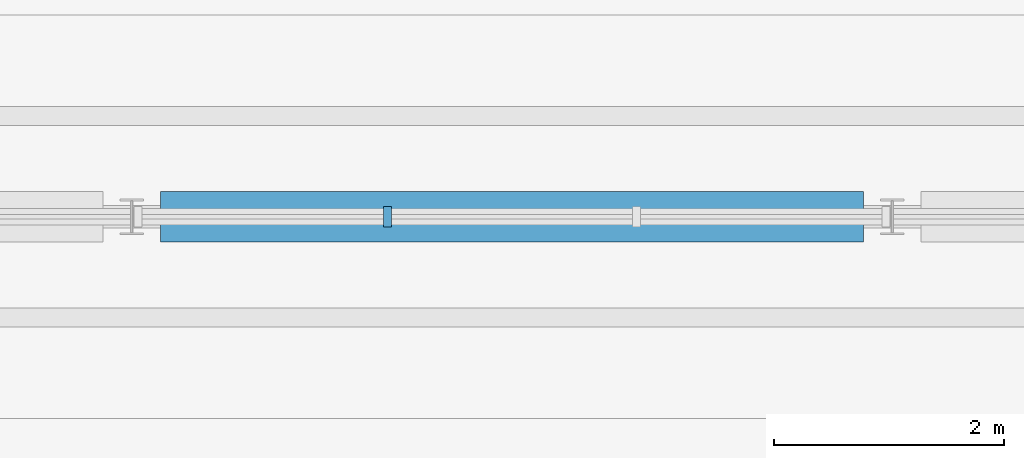
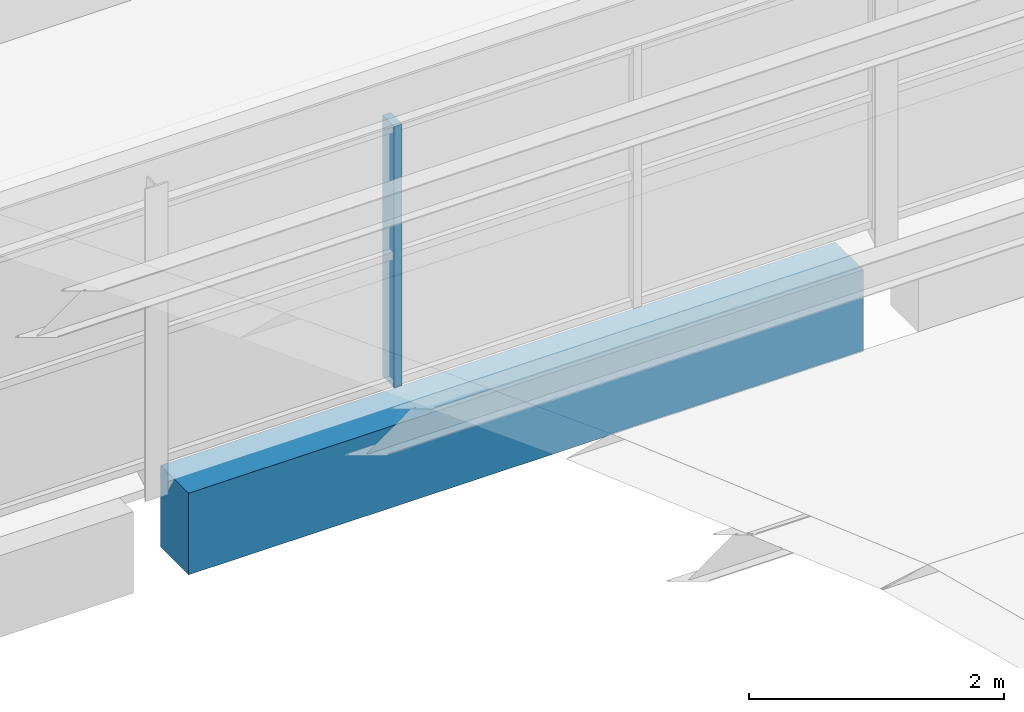
# One storey, part 50 of 92: 1 beam, 1 member, 1 element without a shape of its own.
"""IFC4 building model written with IfcOpenShell, lengths in metres."""

from ifc_helpers import new_model, si_unit, direction, frame, origin, origin_2d, place, context, subcontext, project, spatial, rectangle, extrude, material, material_profile, profile_set, type_object, element, aggregate, save


model = new_model("IFC4")

# Units and contexts
model_context = context("Model", 3, precision=1e-05, world=origin(), true_north=direction((0.0, 1.0)))
body_context = subcontext(model_context, "Body", "Model", "MODEL_VIEW")
ifc_project = project(units=[si_unit("LENGTHUNIT", "METRE"), si_unit("AREAUNIT", "SQUARE_METRE"), si_unit("VOLUMEUNIT", "CUBIC_METRE"), si_unit("PLANEANGLEUNIT", "RADIAN"), si_unit("MASSUNIT", "GRAM", prefix="KILO")], contexts=[model_context])

# Site, building, storey
site_placement = place(None, origin())
site = spatial("IfcSite", under=ifc_project, at=site_placement, CompositionType="ELEMENT")
building_placement = place(site_placement, origin())
building = spatial("IfcBuilding", under=site, at=building_placement, Name="Ciguamira Faculty of Natural Sciences", CompositionType="ELEMENT")
storey_placement = place(building_placement, frame((0.0, 0.0, 16.800048828125)))
storey = spatial("IfcBuildingStorey", under=building, at=storey_placement, Name="L04", CompositionType="ELEMENT", Elevation=16.800048828125)

# Curtain wall, member
ifc_material_1 = material(Name="Anodized aluminium curtain wall", Category="aluminium")
curtain_wall_type = type_object("IfcCurtainWallType", Name="CurtainWall_CW-08", PredefinedType="USERDEFINED", material=ifc_material_1)
curtain_wall_placement = place(storey_placement, origin())
curtain_wall = element("IfcCurtainWall", 1, at=curtain_wall_placement, inside=storey, type_object=curtain_wall_type, Name="V4 north-light wave 6 clerestory glazing 1", ObjectType="UNITISED CURTAIN WALL", PredefinedType="USERDEFINED")
ifc_material_2 = material(Name="Anodized aluminium mullion", Category="aluminium")
ifc_material_profile_1 = material_profile(ifc_material_2, rectangle(XDim=0.070068359375, YDim=0.179931640625, at=origin_2d()), Name="ALU-MUL-70X180")
ifc_profile_set_1 = profile_set([ifc_material_profile_1], Name="Anodized aluminium mullion")
member_type = type_object("IfcMemberType", Name="CWMullion_CWM-02", PredefinedType="MULLION", material=ifc_profile_set_1)
member_placement = place(storey_placement, frame((85.91845703125, 87.0, 0.25), z_axis=(0.0, 0.0, 1.0), x_axis=(1.0, 0.0, 0.0)))
member = element("IfcMember", 2, at=member_placement, type_object=member_type, Name="CW-08 mullion 14", PredefinedType="MULLION", context=body_context, shape_type="SweptSolid", body=[
    extrude(rectangle(XDim=0.070068359375, YDim=0.179931640625, at=origin_2d()), origin(), (0.0, 0.0, 1.0), 2.5),
])
aggregate(curtain_wall, [member])

# Beam
ifc_material_3 = material(Name="Concrete C40/50", Category="concrete")
ifc_material_profile_2 = material_profile(ifc_material_3, rectangle(XDim=0.43994140625, YDim=0.780029296875, at=origin_2d()), Name="RC-BM-440X780")
ifc_profile_set_2 = profile_set([ifc_material_profile_2], Name="Concrete C40/50")
beam_type = type_object("IfcBeamType", Name="RCBeam_BG-06_RC-BM-440X780", PredefinedType="BEAM", material=ifc_profile_set_2)
beam_placement = place(storey_placement, frame((83.949951171875, 87.0, -0.39013671875), z_axis=(1.0, 0.0, 0.0), x_axis=(0.0, 1.0, 0.0)))
element("IfcBeam", 3, at=beam_placement, inside=storey, type_object=beam_type, Name="V4 north-light wave 6 RC valley beam NVL-1-5", PredefinedType="BEAM", context=body_context, shape_type="SweptSolid", body=[
    extrude(rectangle(XDim=0.43994140625, YDim=0.780029296875, at=origin_2d()), origin(), (0.0, 0.0, 1.0), 6.10009765625),
])

save(model, "model.ifc")
